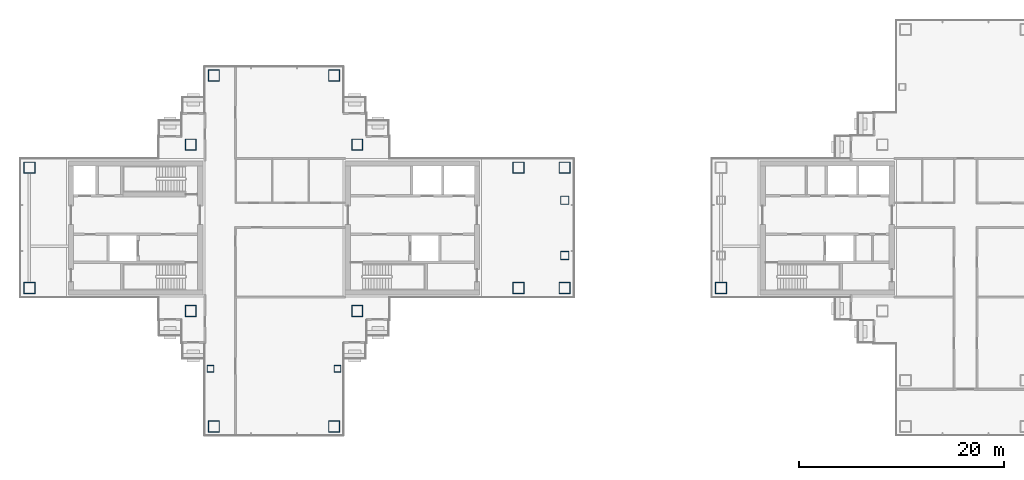
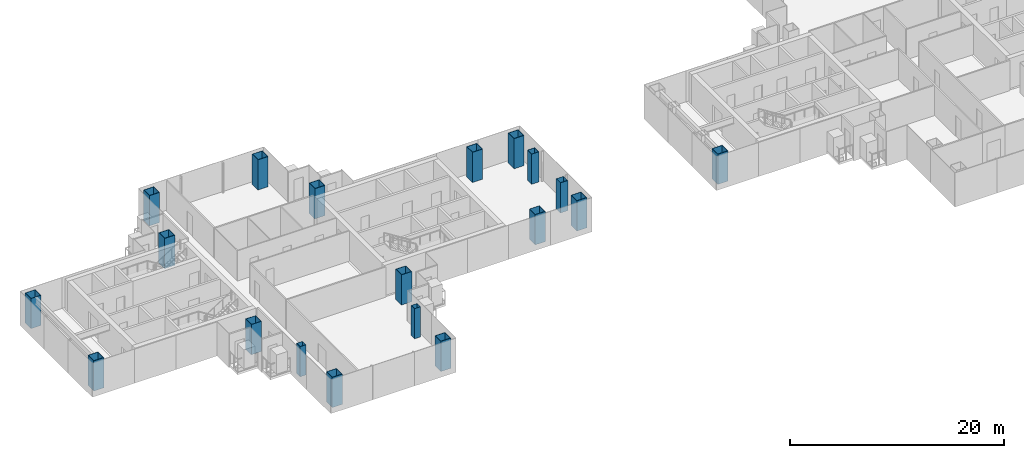
# One storey, part 1 of 17: 19 columns.
"""IFC4 building model written with IfcOpenShell, lengths in metres."""

from ifc_helpers import new_model, si_unit, direction, frame, origin, origin_2d, place, context, subcontext, project, spatial, hollow_rectangle, extrude, material, material_profile, profile_set, type_object, element, save


model = new_model("IFC4")

# Units and contexts
model_context = context("Model", 3, precision=1e-05, world=origin(), true_north=direction((0.0, 1.0)))
body_context = subcontext(model_context, "Body", "Model", "MODEL_VIEW")
ifc_project = project(units=[si_unit("LENGTHUNIT", "METRE"), si_unit("AREAUNIT", "SQUARE_METRE"), si_unit("VOLUMEUNIT", "CUBIC_METRE"), si_unit("PLANEANGLEUNIT", "RADIAN"), si_unit("MASSUNIT", "GRAM", prefix="KILO")], contexts=[model_context])

# Site, building, storey
site_placement = place(None, origin())
site = spatial("IfcSite", under=ifc_project, at=site_placement, CompositionType="ELEMENT")
building_placement = place(site_placement, origin())
building = spatial("IfcBuilding", under=site, at=building_placement, Name="Shamsa Quay Exchange Towers", CompositionType="ELEMENT")
storey_placement = place(building_placement, frame((0.0, 0.0, 174.0)))
storey = spatial("IfcBuildingStorey", under=building, at=storey_placement, Name="L41", CompositionType="ELEMENT", Elevation=174.0)

# Columns
ifc_material_1 = material(Name="Concrete-filled steel tube S355 / C80/95", Category="concrete")
ifc_material_profile_1 = material_profile(ifc_material_1, hollow_rectangle(XDim=1.10009765625, YDim=1.10009765625, WallThickness=0.0400390625, at=origin_2d()), Name="CFT 1100x1100x40")
ifc_profile_set_1 = profile_set([ifc_material_profile_1], Name="Concrete-filled steel tube S355 / C80/95")
column_type_1 = type_object("IfcColumnType", Name="Column CFT 1100x1100x40", PredefinedType="COLUMN", material=ifc_profile_set_1)
for number, where, name in (
    (1, (-25.625, 8.125, 0.0), "Mega column T1-CM01"),
    (2, (-25.625, -8.125, 0.0), "Mega column T1-CM02"),
    (3, (-41.875, 8.125, 0.0), "Mega column T1-CM03"),
    (4, (-41.875, -8.125, 0.0), "Mega column T1-CM04"),
    (5, (-9.875, -5.875, 0.0), "Mega column T1-CM05"),
    (6, (-5.375, -5.875, 0.0), "Mega column T1-CM06"),
    (7, (-9.875, 5.875, 0.0), "Mega column T1-CM07"),
    (8, (-5.375, 5.875, 0.0), "Mega column T1-CM08"),
    (9, (-57.625, -5.875, 0.0), "Mega column T1-CM09"),
    (10, (-57.625, 5.875, 0.0), "Mega column T1-CM11"),
    (11, (-39.625, 14.875, 0.0), "Mega column T1-CM13"),
    (12, (-27.875, 14.875, 0.0), "Mega column T1-CM16"),
    (13, (-39.625, -19.375, 0.0), "Mega column T1-CM20"),
    (14, (-27.875, -19.375, 0.0), "Mega column T1-CM23"),
    (15, (9.875, -5.875, 0.0), "Mega column T2-CM19"),
):
    element("IfcColumn", number, at=place(storey_placement, frame(where)), inside=storey, type_object=column_type_1, Name=name, PredefinedType="COLUMN", context=body_context, shape_type="SweptSolid", body=[
        extrude(hollow_rectangle(XDim=1.10009765625, YDim=1.10009765625, WallThickness=0.0400390625, at=origin_2d()), origin(), (0.0, 0.0, 1.0), 3.449951171875),
    ])
ifc_material_2 = material(Name="Concrete-filled steel tube S355 / C60/75", Category="concrete")
ifc_material_profile_2 = material_profile(ifc_material_2, hollow_rectangle(XDim=0.64990234375, YDim=0.64990234375, WallThickness=0.02001953125, at=origin_2d()), Name="CFT 650x650x20")
ifc_profile_set_2 = profile_set([ifc_material_profile_2], Name="Concrete-filled steel tube S355 / C60/75")
column_type_2 = type_object("IfcColumnType", Name="Column CFT 650x650x20", PredefinedType="COLUMN", material=ifc_profile_set_2)
for number, where, name in (
    (16, (-39.9375, -13.75, 0.0), "Perimeter column T1-CP19"),
    (17, (-27.5625, -13.75, 0.0), "Perimeter column T1-CP22"),
):
    element("IfcColumn", number, at=place(storey_placement, frame(where)), inside=storey, type_object=column_type_2, Name=name, PredefinedType="COLUMN", context=body_context, shape_type="SweptSolid", body=[
        extrude(hollow_rectangle(XDim=0.64990234375, YDim=0.64990234375, WallThickness=0.02001953125, at=origin_2d()), origin(), (0.0, 0.0, 1.0), 3.449951171875),
    ])
ifc_material_3 = material(Name="Concrete-filled steel tube S355 / C70/85", Category="concrete")
ifc_material_profile_3 = material_profile(ifc_material_3, hollow_rectangle(XDim=0.800048828125, YDim=0.800048828125, WallThickness=0.030029296875, at=origin_2d()), Name="CFT 800x800x30")
ifc_profile_set_3 = profile_set([ifc_material_profile_3], Name="Concrete-filled steel tube S355 / C70/85")
column_type_3 = type_object("IfcColumnType", Name="Landing column CFT 800x800x30", PredefinedType="COLUMN", material=ifc_profile_set_3)
for number, where, name in (
    (18, (-5.375, -2.699951171875, 0.0), "Landing column T1 S"),
    (19, (-5.375, 2.699951171875, 0.0), "Landing column T1 N"),
):
    element("IfcColumn", number, at=place(storey_placement, frame(where)), inside=storey, type_object=column_type_3, Name=name, PredefinedType="COLUMN", context=body_context, shape_type="SweptSolid", body=[
        extrude(hollow_rectangle(XDim=0.800048828125, YDim=0.800048828125, WallThickness=0.030029296875, at=origin_2d()), origin(), (0.0, 0.0, 1.0), 3.449951171875),
    ])

save(model, "model.ifc")
